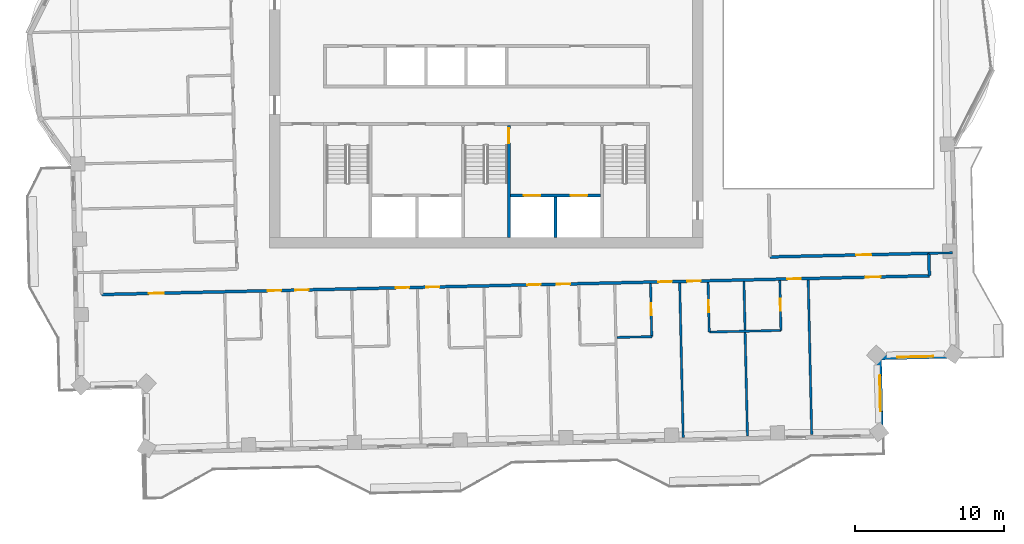
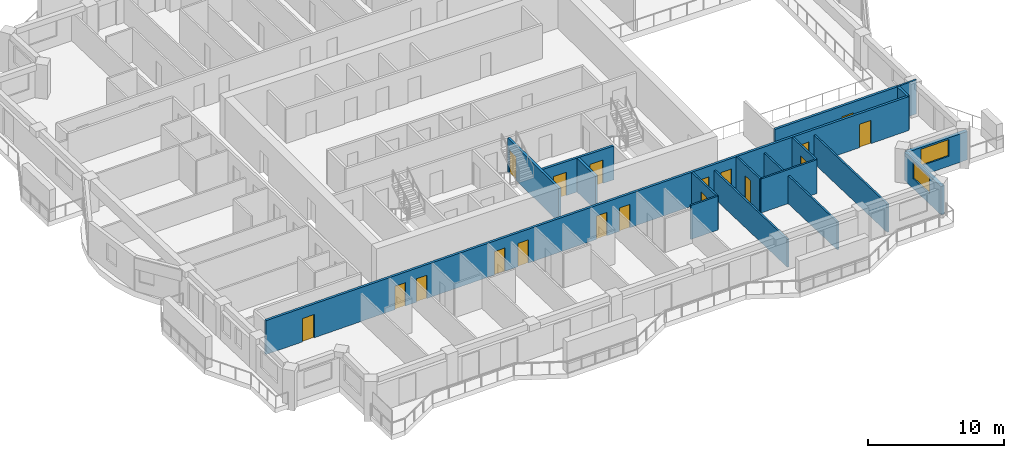
# One storey, part 11 of 20: 18 doors, 17 walls, 2 windows, 20 openings.
"""IFC4 building model written with IfcOpenShell, lengths in metres."""

import ifcopenshell
import ifcopenshell.guid

model = None  # the IFC model being written
_history = None  # IfcOwnerHistory: only IFC2X3 demands one
_inside = {}  # id of a spatial element -> (the spatial element, [elements in it])
_under = {}  # id of a project, library or spatial element -> (it, [spatial elements below it])
_declared = {}  # id of a project -> (the project, [libraries it declares])
_typed = {}  # id of a type object -> (the type object, [elements of that type])
_made_of = {}  # id of a material, layer set ... -> (it, [elements and type objects made of it])


def new_model(schema):
    """Start an empty IFC model of exactly this schema.

    Asked for "IFC4X3", IfcOpenShell would pick the latest addendum, in which some entities
    have other attributes; the version numbers below select the first issue.
    IFC2X3 requires an IfcOwnerHistory on every rooted entity: one is made here for all.
    """
    global model, _history
    if schema == "IFC4X3":
        model = ifcopenshell.file(schema_version=(4, 3, 0, 0))
    else:
        model = ifcopenshell.file(schema=schema)
    _inside.clear()
    _under.clear()
    _declared.clear()
    _typed.clear()
    _made_of.clear()
    _history = None
    if model.schema == "IFC2X3":
        org = make("IfcOrganization", Name="unknown")
        user = make(
            "IfcPersonAndOrganization",
            ThePerson=make("IfcPerson", FamilyName="unknown"),
            TheOrganization=org,
        )
        app = make(
            "IfcApplication",
            ApplicationDeveloper=org,
            Version="unknown",
            ApplicationFullName="unknown",
            ApplicationIdentifier="unknown",
        )
        _history = make(
            "IfcOwnerHistory",
            OwningUser=user,
            OwningApplication=app,
            ChangeAction="ADDED",
            CreationDate=0,
        )
    return model


def make(cls, **values):
    """One entity of the class cls with the attributes given. An attribute that is None is left unset."""
    return model.create_entity(
        cls, **{name: value for name, value in values.items() if value is not None}
    )


def rooted(cls, **values):
    """An entity with a GlobalId (a new one), such as an element, a storey or a relation."""
    return make(cls, GlobalId=ifcopenshell.guid.new(), OwnerHistory=_history, **values)


def si_unit(unit_type, name, prefix=None):
    """IfcSIUnit, for example si_unit("LENGTHUNIT", "METRE", prefix="MILLI")."""
    return make("IfcSIUnit", UnitType=unit_type, Prefix=prefix, Name=name)


def assignment(units):
    """IfcUnitAssignment: the units of a project."""
    return None if units is None else make("IfcUnitAssignment", Units=units)


def point(xyz):
    """IfcCartesianPoint."""
    return None if xyz is None else make("IfcCartesianPoint", Coordinates=xyz)


def direction(xyz):
    """IfcDirection."""
    return None if xyz is None else make("IfcDirection", DirectionRatios=xyz)


def frame(location, z_axis=None, x_axis=None):
    """IfcAxis2Placement3D, a coordinate frame: its origin and axes. An axis left out is left unset."""
    return make(
        "IfcAxis2Placement3D",
        Location=point(location),
        Axis=direction(z_axis),
        RefDirection=direction(x_axis),
    )


def frame_2d(location, x_axis=None):
    """IfcAxis2Placement2D, a coordinate frame in the plane: its origin and x axis."""
    return make(
        "IfcAxis2Placement2D", Location=point(location), RefDirection=direction(x_axis)
    )


def origin():
    """The frame at (0, 0, 0) with its axes left unset."""
    return frame((0.0, 0.0, 0.0))


def place(relative_to, where):
    """IfcLocalPlacement: puts the frame where relative to a parent placement (None: the world)."""
    return make(
        "IfcLocalPlacement", PlacementRelTo=relative_to, RelativePlacement=where
    )


def context(
    kind, dimensions, precision=None, world=None, true_north=None, identifier=None
):
    """IfcGeometricRepresentationContext, for example the 3D "Model" context."""
    return make(
        "IfcGeometricRepresentationContext",
        ContextIdentifier=identifier,
        ContextType=kind,
        CoordinateSpaceDimension=dimensions,
        Precision=precision,
        WorldCoordinateSystem=world,
        TrueNorth=true_north,
    )


def subcontext(parent, identifier, kind, view, scale=None):
    """IfcGeometricRepresentationSubContext, for example "Body" below "Model"."""
    return make(
        "IfcGeometricRepresentationSubContext",
        ContextIdentifier=identifier,
        ContextType=kind,
        ParentContext=parent,
        TargetScale=scale,
        TargetView=view,
    )


def project(units=None, contexts=None):
    """IfcProject with its units and contexts."""
    return rooted(
        "IfcProject",
        Name="project",
        RepresentationContexts=contexts,
        UnitsInContext=assignment(units),
    )


def spatial(cls, under=None, at=None, **own):
    """A site, building, storey or space (cls), placed at a placement, below another one or the project."""
    s = rooted(cls, ObjectPlacement=at, **own)
    if under is not None:
        _under.setdefault(under.id(), (under, []))[1].append(s)
    return s


def profile(cls, at=None, kind="AREA", **sizes):
    """A parametric profile (cls). Its sizes go by their IFC names, for example OverallWidth=200.0."""
    return make(cls, ProfileType=kind, Position=at, **sizes)


def rectangle(**sizes):
    """IfcRectangleProfileDef."""
    return profile("IfcRectangleProfileDef", **sizes)


def extrude(swept, where, along, depth):
    """IfcExtrudedAreaSolid: the profile swept, set in the frame where, extruded along a direction by depth."""
    return make(
        "IfcExtrudedAreaSolid",
        SweptArea=swept,
        Position=where,
        ExtrudedDirection=direction(along),
        Depth=depth,
    )


def shape(context_of_items, identifier, shape_type, items):
    """IfcShapeRepresentation: the items that make up one representation, for example the "Body"."""
    return make(
        "IfcShapeRepresentation",
        ContextOfItems=context_of_items,
        RepresentationIdentifier=identifier,
        RepresentationType=shape_type,
        Items=items,
    )


def material(Name=None, Category=None):
    """IfcMaterial."""
    return make("IfcMaterial", Name=Name, Category=Category)


def layer(
    of_material, thickness, ventilated=None, Name=None, Category=None, Priority=None
):
    """IfcMaterialLayer: one layer of a wall or slab, of a material (None: an air gap)."""
    return make(
        "IfcMaterialLayer",
        Material=of_material,
        LayerThickness=thickness,
        IsVentilated=ventilated,
        Name=Name,
        Category=Category,
        Priority=Priority,
    )


def layer_set(layers, Name=None):
    """IfcMaterialLayerSet."""
    return make("IfcMaterialLayerSet", MaterialLayers=layers, LayerSetName=Name)


def made_of(thing, what):
    """Note that an element or type object is made of a material, layer set ...; save() writes the relation."""
    if what is not None:
        _made_of.setdefault(what.id(), (what, []))[1].append(thing)
    return thing


def type_object(cls, material=None, **own):
    """A type object (cls), such as IfcWallType, which elements share."""
    return made_of(rooted(cls, **own), material)


def element(
    cls,
    number,
    at=None,
    inside=None,
    cuts=None,
    type_object=None,
    material=None,
    context=None,
    identifier="Body",
    shape_type=None,
    held_by="IfcProductDefinitionShape",
    body=None,
    shapes=None,
    **own,
):
    """One element of the class cls, such as IfcWall. Its Tag is "e" and its number.

    at: its placement. inside: the storey or other place that contains it. cuts: it is an
    opening in that element (IfcRelVoidsElement). A single representation is given by context,
    identifier, shape_type and body (its items); several are given by shapes. held_by: the class
    of the entity that holds the representations. save() writes the other relations.
    """
    e = rooted(cls, Tag="e%d" % number, ObjectPlacement=at, **own)
    if body is not None:
        shapes = [shape(context, identifier, shape_type, body)]
    if shapes is not None:
        e.Representation = make(held_by, Representations=shapes)
    if inside is not None:
        _inside.setdefault(inside.id(), (inside, []))[1].append(e)
    if cuts is not None:
        rooted(
            "IfcRelVoidsElement", RelatingBuildingElement=cuts, RelatedOpeningElement=e
        )
    if type_object is not None:
        _typed.setdefault(type_object.id(), (type_object, []))[1].append(e)
    return made_of(e, material)


def fill(opening, filler):
    """IfcRelFillsElement: the door or window that sits in an opening."""
    return rooted(
        "IfcRelFillsElement",
        RelatingOpeningElement=opening,
        RelatedBuildingElement=filler,
    )


def aggregate(whole, parts):
    """IfcRelAggregates: a whole, such as a stair, and the parts it consists of."""
    return rooted("IfcRelAggregates", RelatingObject=whole, RelatedObjects=parts)


def save(model, path):
    """Write the relations noted so far, then the file.

    IfcRelAggregates (storeys below a building ...), IfcRelContainedInSpatialStructure (elements
    in a storey), IfcRelDefinesByType, IfcRelAssociatesMaterial and IfcRelDeclares: one each for
    every whole, place, type object, material and project.
    """
    for whole, parts in _under.values():
        aggregate(whole, parts)
    for where, things in _inside.values():
        rooted(
            "IfcRelContainedInSpatialStructure",
            RelatedElements=things,
            RelatingStructure=where,
        )
    for kind, things in _typed.values():
        rooted("IfcRelDefinesByType", RelatedObjects=things, RelatingType=kind)
    for what, things in _made_of.values():
        rooted("IfcRelAssociatesMaterial", RelatedObjects=things, RelatingMaterial=what)
    for by, libraries in _declared.values():
        rooted("IfcRelDeclares", RelatingContext=by, RelatedDefinitions=libraries)
    model.write(path)


model = new_model("IFC4")

# Units and contexts
model_context = context("Model", 3, precision=1e-05, world=origin(), true_north=direction((0.0, 1.0)))
body_context = subcontext(model_context, "Body", "Model", "MODEL_VIEW")
ifc_project = project(units=[si_unit("LENGTHUNIT", "METRE"), si_unit("AREAUNIT", "SQUARE_METRE"), si_unit("VOLUMEUNIT", "CUBIC_METRE"), si_unit("PLANEANGLEUNIT", "RADIAN"), si_unit("MASSUNIT", "GRAM", prefix="KILO")], contexts=[model_context])

# Site, building, storey
site_placement = place(None, origin())
site = spatial("IfcSite", under=ifc_project, at=site_placement, CompositionType="ELEMENT")
building_placement = place(site_placement, origin())
building = spatial("IfcBuilding", under=site, at=building_placement, Name="Mangrove Gate Tower", CompositionType="ELEMENT")
storey_placement = place(building_placement, frame((0.0, 0.0, 279.89990234375)))
storey = spatial("IfcBuildingStorey", under=building, at=storey_placement, Name="L71", CompositionType="ELEMENT", Elevation=279.89990234375)

# Wall, openings, doors
ifc_material_1 = material(Name="Concrete C50/60", Category="concrete")
ifc_layer_1 = layer(ifc_material_1, 0.199951171875)
ifc_layer_set_1 = layer_set([ifc_layer_1], Name="Core shaft wall 200 C50/60")
wall_type_1 = type_object("IfcWallType", Name="Core shaft wall 200 C50/60", PredefinedType="SHEAR", material=ifc_layer_set_1)
wall_1_placement = place(storey_placement, frame((1.60009765625, -8.0, 0.0), z_axis=(0.0, 0.0, 1.0), x_axis=(1.0, 0.0, 0.0)))
wall_1 = element("IfcWall", 1, at=wall_1_placement, inside=storey, type_object=wall_type_1, Name="WALL-L71-CORE-17", PredefinedType="SHEAR", context=body_context, shape_type="SweptSolid", body=[
    extrude(rectangle(XDim=6.0498046875, YDim=0.199951171875, at=frame_2d((3.02490234375, 0.0))), origin(), (0.0, 0.0, 1.0), 3.050048828125),
])
opening_1_placement = place(wall_1_placement, frame((0.91259765625, 0.0, 0.0)))
opening_1 = element("IfcOpeningElement", 2, at=opening_1_placement, cuts=wall_1, Name="Opening LD", PredefinedType="OPENING", context=body_context, shape_type="SweptSolid", body=[
    extrude(rectangle(XDim=1.10009765625, YDim=2.10009765625, at=frame_2d((0.550048828125, 1.050048828125))), frame((0.0, 0.10986328125, 0.0), z_axis=(0.0, -1.0, 0.0), x_axis=(1.0, 0.0, 0.0)), (0.0, 0.0, 1.0), 0.219970703125),
])
opening_2_placement = place(wall_1_placement, frame((4.03759765625, 0.0, 0.0)))
opening_2 = element("IfcOpeningElement", 3, at=opening_2_placement, cuts=wall_1, Name="Opening LD", PredefinedType="OPENING", context=body_context, shape_type="SweptSolid", body=[
    extrude(rectangle(XDim=1.10009765625, YDim=2.10009765625, at=frame_2d((0.550048828125, 1.050048828125))), frame((0.0, 0.10986328125, 0.0), z_axis=(0.0, -1.0, 0.0), x_axis=(1.0, 0.0, 0.0)), (0.0, 0.0, 1.0), 0.219970703125),
])
ifc_material_2 = material(Name="Stainless steel 316", Category="steel")
door_type_1 = type_object("IfcDoorType", Name="Lift landing door 1100x2100", OperationType="SLIDING_TO_LEFT", PredefinedType="DOOR", material=ifc_material_2)
door_1_placement = place(opening_1_placement, origin())
door_1 = element("IfcDoor", 4, at=door_1_placement, inside=storey, type_object=door_type_1, Name="Landing door LD FFL1", OperationType="SLIDING_TO_LEFT", OverallHeight=2.10009765625, OverallWidth=1.10009765625, PredefinedType="DOOR", context=body_context, shape_type="SweptSolid", body=[
    extrude(rectangle(XDim=1.10009765625, YDim=2.10009765625, at=frame_2d((0.550048828125, 1.050048828125))), frame((0.0, 0.02490234375, 0.0), z_axis=(0.0, -1.0, 0.0), x_axis=(1.0, 0.0, 0.0)), (0.0, 0.0, 1.0), 0.050048828125),
])
fill(opening_1, door_1)
door_2_placement = place(opening_2_placement, origin())
door_2 = element("IfcDoor", 5, at=door_2_placement, inside=storey, type_object=door_type_1, Name="Landing door LD FFL2", OperationType="SLIDING_TO_LEFT", OverallHeight=2.10009765625, OverallWidth=1.10009765625, PredefinedType="DOOR", context=body_context, shape_type="SweptSolid", body=[
    extrude(rectangle(XDim=1.10009765625, YDim=2.10009765625, at=frame_2d((0.550048828125, 1.050048828125))), frame((0.0, 0.02490234375, 0.0), z_axis=(0.0, -1.0, 0.0), x_axis=(1.0, 0.0, 0.0)), (0.0, 0.0, 1.0), 0.050048828125),
])
fill(opening_2, door_2)

# Wall
wall_2_placement = place(storey_placement, frame((4.625, -10.800048828125, 0.0), z_axis=(0.0, 0.0, 1.0), x_axis=(0.0, 1.0, 0.0)))
element("IfcWall", 6, at=wall_2_placement, inside=storey, type_object=wall_type_1, Name="WALL-L71-CORE-18", PredefinedType="SHEAR", context=body_context, shape_type="SweptSolid", body=[
    extrude(rectangle(XDim=2.699951171875, YDim=0.199951171875, at=frame_2d((1.35009765625, 0.0))), origin(), (0.0, 0.0, 1.0), 3.050048828125),
])

# Wall, opening, door
ifc_material_3 = material(Name="Concrete C50/60", Category="concrete")
ifc_layer_2 = layer(ifc_material_3, 0.199951171875)
ifc_layer_set_2 = layer_set([ifc_layer_2], Name="Core stair wall 200 C50/60")
wall_type_2 = type_object("IfcWallType", Name="Core stair wall 200 C50/60", PredefinedType="SHEAR", material=ifc_layer_set_2)
wall_3_placement = place(storey_placement, frame((1.5, -10.800048828125, 0.0), z_axis=(0.0, 0.0, 1.0), x_axis=(0.0, 1.0, 0.0)))
wall_3 = element("IfcWall", 7, at=wall_3_placement, inside=storey, type_object=wall_type_2, Name="WALL-L71-CORE-12", PredefinedType="SHEAR", context=body_context, shape_type="SweptSolid", body=[
    extrude(rectangle(XDim=7.5, YDim=0.199951171875, at=frame_2d((3.75, 0.0))), origin(), (0.0, 0.0, 1.0), 3.050048828125),
])
opening_3_placement = place(wall_3_placement, frame((6.300048828125, 0.0, 0.0)))
opening_3 = element("IfcOpeningElement", 8, at=opening_3_placement, cuts=wall_3, Name="Opening STD10", PredefinedType="OPENING", context=body_context, shape_type="SweptSolid", body=[
    extrude(rectangle(XDim=1.0, YDim=2.10009765625, at=frame_2d((0.5, 1.050048828125))), frame((0.0, 0.10986328125, 0.0), z_axis=(0.0, -1.0, 0.0), x_axis=(1.0, 0.0, 0.0)), (0.0, 0.0, 1.0), 0.219970703125),
])
ifc_material_4 = material(Name="Fire-rated steel door set", Category="steel")
door_type_2 = type_object("IfcDoorType", Name="Stair door FD60 1000x2100", OperationType="SINGLE_SWING_RIGHT", PredefinedType="DOOR", material=ifc_material_4)
door_3_placement = place(opening_3_placement, origin())
door_3 = element("IfcDoor", 9, at=door_3_placement, inside=storey, type_object=door_type_2, Name="Stair door Stair 2 from fire-fighting lobby", OperationType="SINGLE_SWING_RIGHT", OverallHeight=2.10009765625, OverallWidth=1.0, PredefinedType="DOOR", context=body_context, shape_type="SweptSolid", body=[
    extrude(rectangle(XDim=1.0, YDim=2.10009765625, at=frame_2d((0.5, 1.050048828125))), frame((0.0, 0.02490234375, 0.0), z_axis=(0.0, -1.0, 0.0), x_axis=(1.0, 0.0, 0.0)), (0.0, 0.0, 1.0), 0.050048828125),
])
fill(opening_3, door_3)

# Wall, openings, doors
ifc_material_5 = material(Name="Gypsum board on steel stud, EI 60", Category="steel")
ifc_layer_3 = layer(ifc_material_5, 0.199951171875)
ifc_layer_set_3 = layer_set([ifc_layer_3], Name="Corridor wall EI 60")
wall_type_3 = type_object("IfcWallType", Name="Corridor wall EI 60", PredefinedType="PARTITIONING", material=ifc_layer_set_3)
wall_4_placement = place(storey_placement, frame((-25.73095703125, -14.6240234375, 0.0), z_axis=(0.0, 0.0, 1.0), x_axis=(0.999742799525, 0.022678950563, 0.0)))
wall_4 = element("IfcWall", 10, at=wall_4_placement, inside=storey, type_object=wall_type_3, Name="WALL-L71-028", PredefinedType="PARTITIONING", context=body_context, shape_type="SweptSolid", body=[
    extrude(rectangle(XDim=55.38623046875, YDim=0.199951171875, at=frame_2d((27.693115234375, 0.0))), origin(), (0.0, 0.0, 1.0), 3.050048828125),
])
opening_4_placement = place(wall_4_placement, frame((3.14892578125, 0.0, 0.0)))
opening_4 = element("IfcOpeningElement", 11, at=opening_4_placement, cuts=wall_4, Name="Opening AD", PredefinedType="OPENING", context=body_context, shape_type="SweptSolid", body=[
    extrude(rectangle(XDim=1.0, YDim=2.10009765625, at=frame_2d((0.5, 1.050048828125))), frame((0.0, 0.10986328125, 0.0), z_axis=(0.0, -1.0, 0.0), x_axis=(1.0, 0.0, 0.0)), (0.0, 0.0, 1.0), 0.219970703125),
])
opening_5_placement = place(wall_4_placement, frame((11.10009765625, 0.0, 0.0)))
opening_5 = element("IfcOpeningElement", 12, at=opening_5_placement, cuts=wall_4, Name="Opening BD", PredefinedType="OPENING", context=body_context, shape_type="SweptSolid", body=[
    extrude(rectangle(XDim=0.89990234375, YDim=2.10009765625, at=frame_2d((0.449951171875, 1.050048828125))), frame((0.0, 0.10986328125, 0.0), z_axis=(0.0, -1.0, 0.0), x_axis=(1.0, 0.0, 0.0)), (0.0, 0.0, 1.0), 0.219970703125),
])
opening_6_placement = place(wall_4_placement, frame((12.949951171875, 0.0, 0.0)))
opening_6 = element("IfcOpeningElement", 13, at=opening_6_placement, cuts=wall_4, Name="Opening BD", PredefinedType="OPENING", context=body_context, shape_type="SweptSolid", body=[
    extrude(rectangle(XDim=0.89990234375, YDim=2.10009765625, at=frame_2d((0.449951171875, 1.050048828125))), frame((0.0, 0.10986328125, 0.0), z_axis=(0.0, -1.0, 0.0), x_axis=(1.0, 0.0, 0.0)), (0.0, 0.0, 1.0), 0.219970703125),
])
opening_7_placement = place(wall_4_placement, frame((19.675048828125, 0.0, 0.0)))
opening_7 = element("IfcOpeningElement", 14, at=opening_7_placement, cuts=wall_4, Name="Opening BD", PredefinedType="OPENING", context=body_context, shape_type="SweptSolid", body=[
    extrude(rectangle(XDim=0.89990234375, YDim=2.10009765625, at=frame_2d((0.449951171875, 1.050048828125))), frame((0.0, 0.10986328125, 0.0), z_axis=(0.0, -1.0, 0.0), x_axis=(1.0, 0.0, 0.0)), (0.0, 0.0, 1.0), 0.219970703125),
])
opening_8_placement = place(wall_4_placement, frame((21.699951171875, 0.0, 0.0)))
opening_8 = element("IfcOpeningElement", 15, at=opening_8_placement, cuts=wall_4, Name="Opening BD", PredefinedType="OPENING", context=body_context, shape_type="SweptSolid", body=[
    extrude(rectangle(XDim=0.89990234375, YDim=2.10009765625, at=frame_2d((0.449951171875, 1.050048828125))), frame((0.0, 0.10986328125, 0.0), z_axis=(0.0, -1.0, 0.0), x_axis=(1.0, 0.0, 0.0)), (0.0, 0.0, 1.0), 0.219970703125),
])
opening_9_placement = place(wall_4_placement, frame((28.47509765625, 0.0, 0.0)))
opening_9 = element("IfcOpeningElement", 16, at=opening_9_placement, cuts=wall_4, Name="Opening BD", PredefinedType="OPENING", context=body_context, shape_type="SweptSolid", body=[
    extrude(rectangle(XDim=0.89990234375, YDim=2.10009765625, at=frame_2d((0.449951171875, 1.050048828125))), frame((0.0, 0.10986328125, 0.0), z_axis=(0.0, -1.0, 0.0), x_axis=(1.0, 0.0, 0.0)), (0.0, 0.0, 1.0), 0.219970703125),
])
opening_10_placement = place(wall_4_placement, frame((30.449951171875, 0.0, 0.0)))
opening_10 = element("IfcOpeningElement", 17, at=opening_10_placement, cuts=wall_4, Name="Opening BD", PredefinedType="OPENING", context=body_context, shape_type="SweptSolid", body=[
    extrude(rectangle(XDim=0.89990234375, YDim=2.10009765625, at=frame_2d((0.449951171875, 1.050048828125))), frame((0.0, 0.10986328125, 0.0), z_axis=(0.0, -1.0, 0.0), x_axis=(1.0, 0.0, 0.0)), (0.0, 0.0, 1.0), 0.219970703125),
])
opening_11_placement = place(wall_4_placement, frame((37.25, 0.0, 0.0)))
opening_11 = element("IfcOpeningElement", 18, at=opening_11_placement, cuts=wall_4, Name="Opening BD", PredefinedType="OPENING", context=body_context, shape_type="SweptSolid", body=[
    extrude(rectangle(XDim=0.89990234375, YDim=2.10009765625, at=frame_2d((0.449951171875, 1.050048828125))), frame((0.0, 0.10986328125, 0.0), z_axis=(0.0, -1.0, 0.0), x_axis=(1.0, 0.0, 0.0)), (0.0, 0.0, 1.0), 0.219970703125),
])
opening_12_placement = place(wall_4_placement, frame((39.175048828125, 0.0, 0.0)))
opening_12 = element("IfcOpeningElement", 19, at=opening_12_placement, cuts=wall_4, Name="Opening BD", PredefinedType="OPENING", context=body_context, shape_type="SweptSolid", body=[
    extrude(rectangle(XDim=0.89990234375, YDim=2.10009765625, at=frame_2d((0.449951171875, 1.050048828125))), frame((0.0, 0.10986328125, 0.0), z_axis=(0.0, -1.0, 0.0), x_axis=(1.0, 0.0, 0.0)), (0.0, 0.0, 1.0), 0.219970703125),
])
opening_13_placement = place(wall_4_placement, frame((45.875, 0.0, 0.0)))
opening_13 = element("IfcOpeningElement", 20, at=opening_13_placement, cuts=wall_4, Name="Opening BD", PredefinedType="OPENING", context=body_context, shape_type="SweptSolid", body=[
    extrude(rectangle(XDim=0.89990234375, YDim=2.10009765625, at=frame_2d((0.449951171875, 1.050048828125))), frame((0.0, 0.10986328125, 0.0), z_axis=(0.0, -1.0, 0.0), x_axis=(1.0, 0.0, 0.0)), (0.0, 0.0, 1.0), 0.219970703125),
])
opening_14_placement = place(wall_4_placement, frame((51.126953125, 0.0, 0.0)))
opening_14 = element("IfcOpeningElement", 21, at=opening_14_placement, cuts=wall_4, Name="Opening AD", PredefinedType="OPENING", context=body_context, shape_type="SweptSolid", body=[
    extrude(rectangle(XDim=1.0, YDim=2.10009765625, at=frame_2d((0.5, 1.050048828125))), frame((0.0, 0.10986328125, 0.0), z_axis=(0.0, -1.0, 0.0), x_axis=(1.0, 0.0, 0.0)), (0.0, 0.0, 1.0), 0.219970703125),
])
ifc_material_6 = material(Name="Timber door leaf", Category="wood")
door_type_3 = type_object("IfcDoorType", Name="Amenity door 1000", OperationType="SINGLE_SWING_LEFT", PredefinedType="DOOR", material=ifc_material_6)
door_4_placement = place(opening_4_placement, origin())
door_4 = element("IfcDoor", 22, at=door_4_placement, inside=storey, type_object=door_type_3, Name="DOOR-L71-LNG-c1a", OperationType="SINGLE_SWING_LEFT", OverallHeight=2.10009765625, OverallWidth=1.0, PredefinedType="DOOR", context=body_context, shape_type="SweptSolid", body=[
    extrude(rectangle(XDim=1.0, YDim=2.10009765625, at=frame_2d((0.5, 1.050048828125))), frame((0.0, 0.02490234375, 0.0), z_axis=(0.0, -1.0, 0.0), x_axis=(1.0, 0.0, 0.0)), (0.0, 0.0, 1.0), 0.050048828125),
])
fill(opening_4, door_4)
door_5_placement = place(opening_14_placement, origin())
door_5 = element("IfcDoor", 23, at=door_5_placement, inside=storey, type_object=door_type_3, Name="DOOR-L71-LNG-c3a", OperationType="SINGLE_SWING_RIGHT", OverallHeight=2.10009765625, OverallWidth=1.0, PredefinedType="DOOR", context=body_context, shape_type="SweptSolid", body=[
    extrude(rectangle(XDim=1.0, YDim=2.10009765625, at=frame_2d((0.5, 1.050048828125))), frame((0.0, 0.02490234375, 0.0), z_axis=(0.0, -1.0, 0.0), x_axis=(1.0, 0.0, 0.0)), (0.0, 0.0, 1.0), 0.050048828125),
])
fill(opening_14, door_5)
ifc_material_7 = material(Name="Timber door leaf", Category="wood")
door_type_4 = type_object("IfcDoorType", Name="Bedroom door 900", OperationType="SINGLE_SWING_LEFT", PredefinedType="DOOR", material=ifc_material_7)
door_6_placement = place(opening_5_placement, origin())
door_6 = element("IfcDoor", 24, at=door_6_placement, inside=storey, type_object=door_type_4, Name="DOOR-L71-BED-c101", OperationType="SINGLE_SWING_LEFT", OverallHeight=2.10009765625, OverallWidth=0.89990234375, PredefinedType="DOOR", context=body_context, shape_type="SweptSolid", body=[
    extrude(rectangle(XDim=0.89990234375, YDim=2.10009765625, at=frame_2d((0.449951171875, 1.050048828125))), frame((0.0, 0.02490234375, 0.0), z_axis=(0.0, -1.0, 0.0), x_axis=(1.0, 0.0, 0.0)), (0.0, 0.0, 1.0), 0.050048828125),
])
fill(opening_5, door_6)
door_7_placement = place(opening_6_placement, origin())
door_7 = element("IfcDoor", 25, at=door_7_placement, inside=storey, type_object=door_type_4, Name="DOOR-L71-BED-c102", OperationType="SINGLE_SWING_RIGHT", OverallHeight=2.10009765625, OverallWidth=0.89990234375, PredefinedType="DOOR", context=body_context, shape_type="SweptSolid", body=[
    extrude(rectangle(XDim=0.89990234375, YDim=2.10009765625, at=frame_2d((0.449951171875, 1.050048828125))), frame((0.0, 0.02490234375, 0.0), z_axis=(0.0, -1.0, 0.0), x_axis=(1.0, 0.0, 0.0)), (0.0, 0.0, 1.0), 0.050048828125),
])
fill(opening_6, door_7)
door_8_placement = place(opening_7_placement, origin())
door_8 = element("IfcDoor", 26, at=door_8_placement, inside=storey, type_object=door_type_4, Name="DOOR-L71-BED-c103", OperationType="SINGLE_SWING_LEFT", OverallHeight=2.10009765625, OverallWidth=0.89990234375, PredefinedType="DOOR", context=body_context, shape_type="SweptSolid", body=[
    extrude(rectangle(XDim=0.89990234375, YDim=2.10009765625, at=frame_2d((0.449951171875, 1.050048828125))), frame((0.0, 0.02490234375, 0.0), z_axis=(0.0, -1.0, 0.0), x_axis=(1.0, 0.0, 0.0)), (0.0, 0.0, 1.0), 0.050048828125),
])
fill(opening_7, door_8)
door_9_placement = place(opening_8_placement, origin())
door_9 = element("IfcDoor", 27, at=door_9_placement, inside=storey, type_object=door_type_4, Name="DOOR-L71-BED-c104", OperationType="SINGLE_SWING_RIGHT", OverallHeight=2.10009765625, OverallWidth=0.89990234375, PredefinedType="DOOR", context=body_context, shape_type="SweptSolid", body=[
    extrude(rectangle(XDim=0.89990234375, YDim=2.10009765625, at=frame_2d((0.449951171875, 1.050048828125))), frame((0.0, 0.02490234375, 0.0), z_axis=(0.0, -1.0, 0.0), x_axis=(1.0, 0.0, 0.0)), (0.0, 0.0, 1.0), 0.050048828125),
])
fill(opening_8, door_9)
door_10_placement = place(opening_9_placement, origin())
door_10 = element("IfcDoor", 28, at=door_10_placement, inside=storey, type_object=door_type_4, Name="DOOR-L71-BED-c205", OperationType="SINGLE_SWING_LEFT", OverallHeight=2.10009765625, OverallWidth=0.89990234375, PredefinedType="DOOR", context=body_context, shape_type="SweptSolid", body=[
    extrude(rectangle(XDim=0.89990234375, YDim=2.10009765625, at=frame_2d((0.449951171875, 1.050048828125))), frame((0.0, 0.02490234375, 0.0), z_axis=(0.0, -1.0, 0.0), x_axis=(1.0, 0.0, 0.0)), (0.0, 0.0, 1.0), 0.050048828125),
])
fill(opening_9, door_10)
door_11_placement = place(opening_10_placement, origin())
door_11 = element("IfcDoor", 29, at=door_11_placement, inside=storey, type_object=door_type_4, Name="DOOR-L71-BED-c206", OperationType="SINGLE_SWING_RIGHT", OverallHeight=2.10009765625, OverallWidth=0.89990234375, PredefinedType="DOOR", context=body_context, shape_type="SweptSolid", body=[
    extrude(rectangle(XDim=0.89990234375, YDim=2.10009765625, at=frame_2d((0.449951171875, 1.050048828125))), frame((0.0, 0.02490234375, 0.0), z_axis=(0.0, -1.0, 0.0), x_axis=(1.0, 0.0, 0.0)), (0.0, 0.0, 1.0), 0.050048828125),
])
fill(opening_10, door_11)
door_12_placement = place(opening_11_placement, origin())
door_12 = element("IfcDoor", 30, at=door_12_placement, inside=storey, type_object=door_type_4, Name="DOOR-L71-BED-c207", OperationType="SINGLE_SWING_LEFT", OverallHeight=2.10009765625, OverallWidth=0.89990234375, PredefinedType="DOOR", context=body_context, shape_type="SweptSolid", body=[
    extrude(rectangle(XDim=0.89990234375, YDim=2.10009765625, at=frame_2d((0.449951171875, 1.050048828125))), frame((0.0, 0.02490234375, 0.0), z_axis=(0.0, -1.0, 0.0), x_axis=(1.0, 0.0, 0.0)), (0.0, 0.0, 1.0), 0.050048828125),
])
fill(opening_11, door_12)
door_13_placement = place(opening_12_placement, origin())
door_13 = element("IfcDoor", 31, at=door_13_placement, inside=storey, type_object=door_type_4, Name="DOOR-L71-BED-c208", OperationType="SINGLE_SWING_RIGHT", OverallHeight=2.10009765625, OverallWidth=0.89990234375, PredefinedType="DOOR", context=body_context, shape_type="SweptSolid", body=[
    extrude(rectangle(XDim=0.89990234375, YDim=2.10009765625, at=frame_2d((0.449951171875, 1.050048828125))), frame((0.0, 0.02490234375, 0.0), z_axis=(0.0, -1.0, 0.0), x_axis=(1.0, 0.0, 0.0)), (0.0, 0.0, 1.0), 0.050048828125),
])
fill(opening_12, door_13)
door_14_placement = place(opening_13_placement, origin())
door_14 = element("IfcDoor", 32, at=door_14_placement, inside=storey, type_object=door_type_4, Name="DOOR-L71-BED-c309", OperationType="SINGLE_SWING_LEFT", OverallHeight=2.10009765625, OverallWidth=0.89990234375, PredefinedType="DOOR", context=body_context, shape_type="SweptSolid", body=[
    extrude(rectangle(XDim=0.89990234375, YDim=2.10009765625, at=frame_2d((0.449951171875, 1.050048828125))), frame((0.0, 0.02490234375, 0.0), z_axis=(0.0, -1.0, 0.0), x_axis=(1.0, 0.0, 0.0)), (0.0, 0.0, 1.0), 0.050048828125),
])
fill(opening_13, door_14)

# Wall
wall_5_placement = place(storey_placement, frame((29.637939453125, -13.367919921875, 0.0), z_axis=(0.0, 0.0, 1.0), x_axis=(-0.022617910375, 0.999744182344, 0.0)))
element("IfcWall", 33, at=wall_5_placement, inside=storey, type_object=wall_type_3, Name="WALL-L71-030", PredefinedType="PARTITIONING", context=body_context, shape_type="SweptSolid", body=[
    extrude(rectangle(XDim=1.50048828125, YDim=0.199951171875, at=frame_2d((0.750244140625, 0.0))), origin(), (0.0, 0.0, 1.0), 3.050048828125),
])

# Wall, opening, door
wall_6_placement = place(storey_placement, frame((18.985107421875, -12.10888671875, 0.0), z_axis=(0.0, 0.0, 1.0), x_axis=(0.999742771882, 0.022680169073, 0.0)))
wall_6 = element("IfcWall", 34, at=wall_6_placement, inside=storey, type_object=wall_type_3, Name="WALL-L71-034", PredefinedType="PARTITIONING", context=body_context, shape_type="SweptSolid", body=[
    extrude(rectangle(XDim=10.62451171875, YDim=0.199951171875, at=frame_2d((5.312255859375, 0.0))), origin(), (0.0, 0.0, 1.0), 3.050048828125),
])
opening_15_placement = place(wall_6_placement, frame((5.75, 0.0, 0.0)))
opening_15 = element("IfcOpeningElement", 35, at=opening_15_placement, cuts=wall_6, Name="Opening AD", PredefinedType="OPENING", context=body_context, shape_type="SweptSolid", body=[
    extrude(rectangle(XDim=1.0, YDim=2.10009765625, at=frame_2d((0.5, 1.050048828125))), frame((0.0, 0.10986328125, 0.0), z_axis=(0.0, -1.0, 0.0), x_axis=(1.0, 0.0, 0.0)), (0.0, 0.0, 1.0), 0.219970703125),
])
door_15_placement = place(opening_15_placement, origin())
door_15 = element("IfcDoor", 36, at=door_15_placement, inside=storey, type_object=door_type_3, Name="DOOR-L71-LNG-c3b", OperationType="SINGLE_SWING_LEFT", OverallHeight=2.10009765625, OverallWidth=1.0, PredefinedType="DOOR", context=body_context, shape_type="SweptSolid", body=[
    extrude(rectangle(XDim=1.0, YDim=2.10009765625, at=frame_2d((0.5, 1.050048828125))), frame((0.0, 0.02490234375, 0.0), z_axis=(0.0, -1.0, 0.0), x_axis=(1.0, 0.0, 0.0)), (0.0, 0.0, 1.0), 0.050048828125),
])
fill(opening_15, door_15)

# Wall, opening, window
ifc_material_8 = material(Name="Limestone", Category="masonry")
ifc_layer_4 = layer(ifc_material_8, 0.0400390625, Name="Limestone cladding")
ifc_material_9 = material(Name="Ventilated air gap")
ifc_layer_5 = layer(ifc_material_9, 0.0400390625, Name="Ventilated cavity")
ifc_material_10 = material(Name="Mineral wool insulation")
ifc_layer_6 = layer(ifc_material_10, 0.06005859375, Name="Insulation")
ifc_material_11 = material(Name="Breather membrane")
ifc_layer_7 = layer(ifc_material_11, 0.001953125, Name="Breather membrane")
ifc_material_12 = material(Name="Concrete C20/25 blockwork", Category="masonry")
ifc_layer_8 = layer(ifc_material_12, 0.14990234375, Name="Blockwork backing wall")
ifc_material_13 = material(Name="Gypsum plaster")
ifc_layer_9 = layer(ifc_material_13, 0.008056640625, Name="Internal plaster")
ifc_layer_set_4 = layer_set([ifc_layer_4, ifc_layer_5, ifc_layer_6, ifc_layer_7, ifc_layer_8, ifc_layer_9], Name="External wall 300 limestone cladding")
wall_type_4 = type_object("IfcWallType", Name="External wall 300 limestone cladding", PredefinedType="SOLIDWALL", material=ifc_layer_set_4)
wall_7_placement = place(storey_placement, frame((26.406982421875, -24.0439453125, 0.0), z_axis=(0.0, 0.0, 1.0), x_axis=(-0.022675548694, 0.99974287669, 0.0)))
wall_7 = element("IfcWall", 37, at=wall_7_placement, inside=storey, type_object=wall_type_4, Name="WALL-L71-E14", PredefinedType="SOLIDWALL", context=body_context, shape_type="SweptSolid", body=[
    extrude(rectangle(XDim=5.2001953125, YDim=0.300048828125, at=frame_2d((2.60009765625, 0.0))), origin(), (0.0, 0.0, 1.0), 2.550048828125),
])
opening_16_placement = place(wall_7_placement, frame((1.60498046875, 0.0, 0.89990234375)))
opening_16 = element("IfcOpeningElement", 38, at=opening_16_placement, cuts=wall_7, Name="Opening W2", PredefinedType="OPENING", context=body_context, shape_type="SweptSolid", body=[
    extrude(rectangle(XDim=2.39990234375, YDim=1.5, at=frame_2d((1.199951171875, 0.75))), frame((0.0, 0.159912109375, 0.0), z_axis=(0.0, -1.0, 0.0), x_axis=(1.0, 0.0, 0.0)), (0.0, 0.0, 1.0), 0.320068359375),
])
ifc_material_14 = material(Name="Aluminium frame with double-glazed low-e glass", Category="aluminium")
window_type = type_object("IfcWindowType", Name="Corner room window 2400x1500", PartitioningType="DOUBLE_PANEL_VERTICAL", PredefinedType="WINDOW", material=ifc_material_14)
window_1_placement = place(opening_16_placement, origin())
window_1 = element("IfcWindow", 39, at=window_1_placement, inside=storey, type_object=window_type, Name="WIN-L71-E14-1", OverallHeight=1.5, OverallWidth=2.39990234375, PartitioningType="DOUBLE_PANEL_VERTICAL", PredefinedType="WINDOW", context=body_context, shape_type="SweptSolid", body=[
    extrude(rectangle(XDim=2.39990234375, YDim=1.5, at=frame_2d((1.199951171875, 0.75))), frame((0.0, 0.030029296875, 0.0), z_axis=(0.0, -1.0, 0.0), x_axis=(1.0, 0.0, 0.0)), (0.0, 0.0, 1.0), 0.06005859375),
])
fill(opening_16, window_1)

wall_8_placement = place(storey_placement, frame((26.2890625, -18.844970703125, 0.0), z_axis=(0.0, 0.0, 1.0), x_axis=(0.99974287669, 0.022675548694, 0.0)))
wall_8 = element("IfcWall", 40, at=wall_8_placement, inside=storey, type_object=wall_type_4, Name="WALL-L71-S15", PredefinedType="SOLIDWALL", context=body_context, shape_type="SweptSolid", body=[
    extrude(rectangle(XDim=5.2001953125, YDim=0.300048828125, at=frame_2d((2.60009765625, 0.0))), origin(), (0.0, 0.0, 1.0), 2.550048828125),
])
opening_17_placement = place(wall_8_placement, frame((1.194091796875, 0.0, 0.89990234375)))
opening_17 = element("IfcOpeningElement", 41, at=opening_17_placement, cuts=wall_8, Name="Opening W2", PredefinedType="OPENING", context=body_context, shape_type="SweptSolid", body=[
    extrude(rectangle(XDim=2.39990234375, YDim=1.5, at=frame_2d((1.199951171875, 0.75))), frame((0.0, 0.159912109375, 0.0), z_axis=(0.0, -1.0, 0.0), x_axis=(1.0, 0.0, 0.0)), (0.0, 0.0, 1.0), 0.320068359375),
])
window_2_placement = place(opening_17_placement, origin())
window_2 = element("IfcWindow", 42, at=window_2_placement, inside=storey, type_object=window_type, Name="WIN-L71-S15-1", OverallHeight=1.5, OverallWidth=2.39990234375, PartitioningType="DOUBLE_PANEL_VERTICAL", PredefinedType="WINDOW", context=body_context, shape_type="SweptSolid", body=[
    extrude(rectangle(XDim=2.39990234375, YDim=1.5, at=frame_2d((1.199951171875, 0.75))), frame((0.0, 0.030029296875, 0.0), z_axis=(0.0, -1.0, 0.0), x_axis=(1.0, 0.0, 0.0)), (0.0, 0.0, 1.0), 0.06005859375),
])
fill(opening_17, window_2)

# Walls
ifc_material_15 = material(Name="Gypsum board on steel stud, EI 60", Category="steel")
ifc_layer_10 = layer(ifc_material_15, 0.14990234375)
ifc_layer_set_5 = layer_set([ifc_layer_10], Name="Party wall 150 EI 60")
wall_type_5 = type_object("IfcWallType", Name="Party wall 150 EI 60", PredefinedType="PARTITIONING", material=ifc_layer_set_5)
wall_9_placement = place(storey_placement, frame((13.1689453125, -24.194091796875, 0.0), z_axis=(0.0, 0.0, 1.0), x_axis=(-0.022692470342, 0.99974249274, 0.0)))
element("IfcWall", 43, at=wall_9_placement, inside=storey, type_object=wall_type_5, Name="WALL-L71-008", PredefinedType="PARTITIONING", context=body_context, shape_type="SweptSolid", body=[
    extrude(rectangle(XDim=10.349853515625, YDim=0.14990234375, at=frame_2d((5.1748046875, 0.0))), origin(), (0.0, 0.0, 1.0), 2.5),
])
wall_10_placement = place(storey_placement, frame((17.468017578125, -24.096923828125, 0.0), z_axis=(0.0, 0.0, 1.0), x_axis=(-0.022714440015, 0.999741993824, 0.0)))
element("IfcWall", 44, at=wall_10_placement, inside=storey, type_object=wall_type_5, Name="WALL-L71-009", PredefinedType="PARTITIONING", context=body_context, shape_type="SweptSolid", body=[
    extrude(rectangle(XDim=10.3505859375, YDim=0.14990234375, at=frame_2d((5.17529296875, 0.0))), origin(), (0.0, 0.0, 1.0), 2.5),
])
wall_11_placement = place(storey_placement, frame((21.76708984375, -23.9990234375, 0.0), z_axis=(0.0, 0.0, 1.0), x_axis=(-0.022716582742, 0.999741945138, 0.0)))
element("IfcWall", 45, at=wall_11_placement, inside=storey, type_object=wall_type_5, Name="WALL-L71-010", PredefinedType="PARTITIONING", context=body_context, shape_type="SweptSolid", body=[
    extrude(rectangle(XDim=10.349609375, YDim=0.14990234375, at=frame_2d((5.1748046875, 0.0))), origin(), (0.0, 0.0, 1.0), 2.550048828125),
])
wall_12_placement = place(storey_placement, frame((8.742919921875, -17.492919921875, 0.0), z_axis=(0.0, 0.0, 1.0), x_axis=(0.99974053329, 0.022778632478, 0.0)))
element("IfcWall", 46, at=wall_12_placement, inside=storey, type_object=wall_type_5, Name="WALL-L71-017", PredefinedType="PARTITIONING", context=body_context, shape_type="SweptSolid", body=[
    extrude(rectangle(XDim=2.32568359375, YDim=0.14990234375, at=frame_2d((1.162841796875, 0.0))), origin(), (0.0, 0.0, 1.0), 3.050048828125),
])

# Wall, opening, door
wall_13_placement = place(storey_placement, frame((11.06591796875, -17.43994140625, 0.0), z_axis=(0.0, 0.0, 1.0), x_axis=(-0.022765149847, 0.999740840394, 0.0)))
wall_13 = element("IfcWall", 47, at=wall_13_placement, inside=storey, type_object=wall_type_5, Name="WALL-L71-018", PredefinedType="PARTITIONING", context=body_context, shape_type="SweptSolid", body=[
    extrude(rectangle(XDim=3.5498046875, YDim=0.14990234375, at=frame_2d((1.77490234375, 0.0))), origin(), (0.0, 0.0, 1.0), 3.050048828125),
])
opening_18_placement = place(wall_13_placement, frame((1.425048828125, 0.0, 0.0)))
opening_18 = element("IfcOpeningElement", 48, at=opening_18_placement, cuts=wall_13, Name="Opening ED", PredefinedType="OPENING", context=body_context, shape_type="SweptSolid", body=[
    extrude(rectangle(XDim=0.800048828125, YDim=2.10009765625, at=frame_2d((0.39990234375, 1.050048828125))), frame((0.0, 0.0849609375, 0.0), z_axis=(0.0, -1.0, 0.0), x_axis=(1.0, 0.0, 0.0)), (0.0, 0.0, 1.0), 0.169921875),
])
ifc_material_16 = material(Name="Timber door leaf", Category="wood")
door_type_5 = type_object("IfcDoorType", Name="En-suite door 800", OperationType="SINGLE_SWING_LEFT", PredefinedType="DOOR", material=ifc_material_16)
door_16_placement = place(opening_18_placement, origin())
door_16 = element("IfcDoor", 49, at=door_16_placement, inside=storey, type_object=door_type_5, Name="DOOR-L71-ENS-c207", OperationType="SINGLE_SWING_LEFT", OverallHeight=2.10009765625, OverallWidth=0.800048828125, PredefinedType="DOOR", context=body_context, shape_type="SweptSolid", body=[
    extrude(rectangle(XDim=0.800048828125, YDim=2.10009765625, at=frame_2d((0.39990234375, 1.050048828125))), frame((0.0, 0.02490234375, 0.0), z_axis=(0.0, -1.0, 0.0), x_axis=(1.0, 0.0, 0.0)), (0.0, 0.0, 1.0), 0.050048828125),
])
fill(opening_18, door_16)

wall_14_placement = place(storey_placement, frame((14.909912109375, -17.133056640625, 0.0), z_axis=(0.0, 0.0, 1.0), x_axis=(-0.022801345323, 0.99974001553, 0.0)))
wall_14 = element("IfcWall", 50, at=wall_14_placement, inside=storey, type_object=wall_type_5, Name="WALL-L71-021", PredefinedType="PARTITIONING", context=body_context, shape_type="SweptSolid", body=[
    extrude(rectangle(XDim=3.330078125, YDim=0.14990234375, at=frame_2d((1.6650390625, 0.0))), origin(), (0.0, 0.0, 1.0), 3.050048828125),
])
opening_19_placement = place(wall_14_placement, frame((1.31494140625, 0.0, 0.0)))
opening_19 = element("IfcOpeningElement", 51, at=opening_19_placement, cuts=wall_14, Name="Opening ED", PredefinedType="OPENING", context=body_context, shape_type="SweptSolid", body=[
    extrude(rectangle(XDim=0.800048828125, YDim=2.10009765625, at=frame_2d((0.39990234375, 1.050048828125))), frame((0.0, 0.0849609375, 0.0), z_axis=(0.0, -1.0, 0.0), x_axis=(1.0, 0.0, 0.0)), (0.0, 0.0, 1.0), 0.169921875),
])
door_17_placement = place(opening_19_placement, origin())
door_17 = element("IfcDoor", 52, at=door_17_placement, inside=storey, type_object=door_type_5, Name="DOOR-L71-ENS-c208", OperationType="SINGLE_SWING_RIGHT", OverallHeight=2.10009765625, OverallWidth=0.800048828125, PredefinedType="DOOR", context=body_context, shape_type="SweptSolid", body=[
    extrude(rectangle(XDim=0.800048828125, YDim=2.10009765625, at=frame_2d((0.39990234375, 1.050048828125))), frame((0.0, 0.02490234375, 0.0), z_axis=(0.0, -1.0, 0.0), x_axis=(1.0, 0.0, 0.0)), (0.0, 0.0, 1.0), 0.050048828125),
])
fill(opening_19, door_17)

# Wall
wall_15_placement = place(storey_placement, frame((14.912109375, -17.133056640625, 0.0), z_axis=(0.0, 0.0, 1.0), x_axis=(0.999741415159, 0.022739894798, 0.0)))
element("IfcWall", 53, at=wall_15_placement, inside=storey, type_object=wall_type_5, Name="WALL-L71-022", PredefinedType="PARTITIONING", context=body_context, shape_type="SweptSolid", body=[
    extrude(rectangle(XDim=4.799072265625, YDim=0.14990234375, at=frame_2d((2.3994140625, 0.0))), origin(), (0.0, 0.0, 1.0), 3.050048828125),
])

# Wall, opening, door
wall_16_placement = place(storey_placement, frame((19.7080078125, -17.02392578125, 0.0), z_axis=(0.0, 0.0, 1.0), x_axis=(-0.022509879905, 0.999746620553, 0.0)))
wall_16 = element("IfcWall", 54, at=wall_16_placement, inside=storey, type_object=wall_type_5, Name="WALL-L71-023", PredefinedType="PARTITIONING", context=body_context, shape_type="SweptSolid", body=[
    extrude(rectangle(XDim=3.32958984375, YDim=0.14990234375, at=frame_2d((1.664794921875, 0.0))), origin(), (0.0, 0.0, 1.0), 3.050048828125),
])
opening_20_placement = place(wall_16_placement, frame((1.31494140625, 0.0, 0.0)))
opening_20 = element("IfcOpeningElement", 55, at=opening_20_placement, cuts=wall_16, Name="Opening ED", PredefinedType="OPENING", context=body_context, shape_type="SweptSolid", body=[
    extrude(rectangle(XDim=0.800048828125, YDim=2.10009765625, at=frame_2d((0.39990234375, 1.050048828125))), frame((0.0, 0.0849609375, 0.0), z_axis=(0.0, -1.0, 0.0), x_axis=(1.0, 0.0, 0.0)), (0.0, 0.0, 1.0), 0.169921875),
])
door_18_placement = place(opening_20_placement, origin())
door_18 = element("IfcDoor", 56, at=door_18_placement, inside=storey, type_object=door_type_5, Name="DOOR-L71-ENS-c309", OperationType="SINGLE_SWING_LEFT", OverallHeight=2.10009765625, OverallWidth=0.800048828125, PredefinedType="DOOR", context=body_context, shape_type="SweptSolid", body=[
    extrude(rectangle(XDim=0.800048828125, YDim=2.10009765625, at=frame_2d((0.39990234375, 1.050048828125))), frame((0.0, 0.02490234375, 0.0), z_axis=(0.0, -1.0, 0.0), x_axis=(1.0, 0.0, 0.0)), (0.0, 0.0, 1.0), 0.050048828125),
])
fill(opening_20, door_18)

# Wall
wall_17_placement = place(storey_placement, frame((29.60302734375, -11.867919921875, 0.0), z_axis=(0.0, 0.0, 1.0), x_axis=(0.999741755729, 0.022724916977, 0.0)))
element("IfcWall", 57, at=wall_17_placement, inside=storey, type_object=wall_type_5, Name="WALL-L71-036", PredefinedType="PARTITIONING", context=body_context, shape_type="SweptSolid", body=[
    extrude(rectangle(XDim=1.579345703125, YDim=0.14990234375, at=frame_2d((0.78955078125, 0.0))), origin(), (0.0, 0.0, 1.0), 3.050048828125),
])

save(model, "model.ifc")
